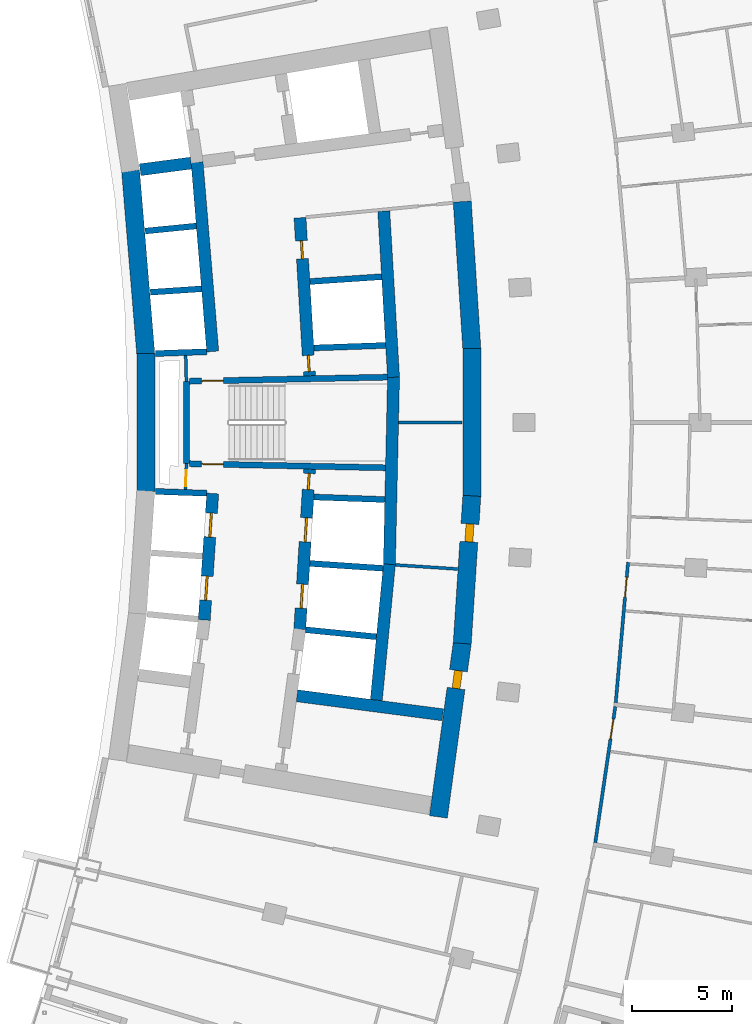
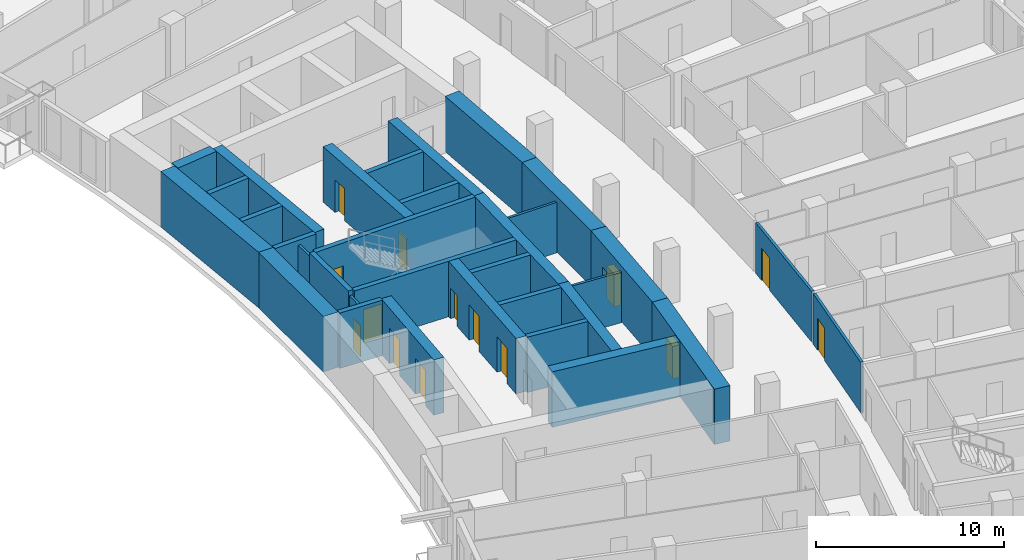
# One storey, part 14 of 23: 33 walls, 14 doors, 14 openings.
"""IFC4 building model written with IfcOpenShell, lengths in metres."""

from ifc_helpers import new_model, si_unit, direction, frame, frame_2d, origin, place, context, subcontext, project, spatial, rectangle, extrude, material, layer, layer_set, type_object, element, fill, save


model = new_model("IFC4")

# Units and contexts
model_context = context("Model", 3, precision=1e-05, world=origin(), true_north=direction((0.0, 1.0)))
body_context = subcontext(model_context, "Body", "Model", "MODEL_VIEW")
ifc_project = project(units=[si_unit("LENGTHUNIT", "METRE"), si_unit("AREAUNIT", "SQUARE_METRE"), si_unit("VOLUMEUNIT", "CUBIC_METRE"), si_unit("PLANEANGLEUNIT", "RADIAN"), si_unit("MASSUNIT", "GRAM", prefix="KILO")], contexts=[model_context])

# Site, building, storey
site_placement = place(None, origin())
site = spatial("IfcSite", under=ifc_project, at=site_placement, CompositionType="ELEMENT")
building_placement = place(site_placement, origin())
building = spatial("IfcBuilding", under=site, at=building_placement, Name="Alderwake Tower", CompositionType="ELEMENT")
storey_placement = place(building_placement, frame((0.0, 0.0, 71.60009765625)))
storey = spatial("IfcBuildingStorey", under=building, at=storey_placement, Name="L17", CompositionType="ELEMENT", Elevation=71.60009765625)

# Wall, opening, door
ifc_material_1 = material(Name="Gypsum shaft wall system, rated")
ifc_layer_1 = layer(ifc_material_1, 0.14990234375)
ifc_layer_set_1 = layer_set([ifc_layer_1], Name="Core room partition 150")
wall_type_1 = type_object("IfcWallType", Name="Core room partition 150", PredefinedType="PARTITIONING", material=ifc_layer_set_1)
wall_1_placement = place(storey_placement, frame((18.918701171875, 58.94384765625, 0.0), z_axis=(0.0, 0.0, 1.0), x_axis=(-0.027348257573, -0.999625966453, 0.0)))
wall_1 = element("IfcWall", 1, at=wall_1_placement, inside=storey, type_object=wall_type_1, Name="CW/L17/PA+24_-37", PredefinedType="PARTITIONING", context=body_context, shape_type="SweptSolid", body=[
    extrude(rectangle(XDim=1.29443359375, YDim=0.14990234375, at=frame_2d((0.647216796875, 0.0))), origin(), (0.0, 0.0, 1.0), 3.27978515625),
])
opening_1_placement = place(wall_1_placement, frame((0.322998046875, 0.0, 0.0)))
opening_1 = element("IfcOpeningElement", 2, at=opening_1_placement, cuts=wall_1, Name="Opening C004", PredefinedType="OPENING", context=body_context, shape_type="SweptSolid", body=[
    extrude(rectangle(XDim=0.800048828125, YDim=2.0, at=frame_2d((0.39990234375, 1.0))), frame((0.0, 0.0849609375, 0.0), z_axis=(0.0, -1.0, 0.0), x_axis=(1.0, 0.0, 0.0)), (0.0, 0.0, 1.0), 0.169921875),
])
ifc_material_2 = material(Name="Painted steel leaf, rated", Category="steel")
door_type_1 = type_object("IfcDoorType", Name="Riser access door 800", OperationType="SINGLE_SWING_LEFT", PredefinedType="DOOR", material=ifc_material_2)
door_1_placement = place(opening_1_placement, origin())
door_1 = element("IfcDoor", 3, at=door_1_placement, inside=storey, type_object=door_type_1, Name="Riser access door", OperationType="SINGLE_SWING_RIGHT", OverallHeight=2.0, OverallWidth=0.800048828125, PredefinedType="DOOR", context=body_context, shape_type="SweptSolid", body=[
    extrude(rectangle(XDim=0.800048828125, YDim=2.0, at=frame_2d((0.39990234375, 1.0))), frame((0.0, 0.02490234375, 0.0), z_axis=(0.0, -1.0, 0.0), x_axis=(1.0, 0.0, 0.0)), (0.0, 0.0, 1.0), 0.050048828125),
])
fill(opening_1, door_1)

# Walls
wall_2_placement = place(storey_placement, frame((18.918701171875, 63.05517578125, 0.0), z_axis=(0.0, 0.0, 1.0), x_axis=(-0.027327648352, 0.999626530078, 0.0)))
element("IfcWall", 4, at=wall_2_placement, inside=storey, type_object=wall_type_1, Name="CW/L17/PA+24_+22", PredefinedType="PARTITIONING", context=body_context, shape_type="SweptSolid", body=[
    extrude(rectangle(XDim=1.29541015625, YDim=0.14990234375, at=frame_2d((0.647705078125, 0.0))), origin(), (0.0, 0.0, 1.0), 3.27978515625),
])
wall_3_placement = place(storey_placement, frame((29.368408203125, 53.8779296875, 0.0), z_axis=(0.0, 0.0, 1.0), x_axis=(0.997885422127, -0.064997571548, 0.0)))
element("IfcWall", 5, at=wall_3_placement, inside=storey, type_object=wall_type_1, Name="CW/L17/PR-68_+128", PredefinedType="PARTITIONING", context=body_context, shape_type="SweptSolid", body=[
    extrude(rectangle(XDim=3.110107421875, YDim=0.14990234375, at=frame_2d((1.55517578125, 0.0))), origin(), (0.0, 0.0, 1.0), 3.27978515625),
])
wall_4_placement = place(storey_placement, frame((29.526123046875, 61.0, 0.0), z_axis=(0.0, 0.0, 1.0), x_axis=(1.0, 0.0, 0.0)))
element("IfcWall", 6, at=wall_4_placement, inside=storey, type_object=wall_type_1, Name="CW/L17/PR+0_+128", PredefinedType="PARTITIONING", context=body_context, shape_type="SweptSolid", body=[
    extrude(rectangle(XDim=3.18408203125, YDim=0.14990234375, at=frame_2d((1.592041015625, 0.0))), origin(), (0.0, 0.0, 1.0), 3.27978515625),
])
ifc_material_3 = material(Name="Concrete C70/85", Category="concrete")
ifc_layer_2 = layer(ifc_material_3, 0.89990234375)
ifc_layer_set_2 = layer_set([ifc_layer_2], Name="Core wall outer 900 C70-85")
wall_type_2 = type_object("IfcWallType", Name="Core wall outer 900 C70-85", PredefinedType="SHEAR", material=ifc_layer_set_2)
wall_5_placement = place(storey_placement, frame((16.889404296875, 57.5546875, 0.0), z_axis=(0.0, 0.0, 1.0), x_axis=(0.0, 1.0, 0.0)))
element("IfcWall", 7, at=wall_5_placement, inside=storey, type_object=wall_type_2, Name="Core wall CW.043", PredefinedType="SHEAR", context=body_context, shape_type="SweptSolid", body=[
    extrude(rectangle(XDim=6.89404296875, YDim=0.89990234375, at=frame_2d((3.447021484375, 0.0))), origin(), (0.0, 0.0, 1.0), 3.599853515625),
])
wall_6_placement = place(storey_placement, frame((16.890869140625, 64.41064453125, 0.0), z_axis=(0.0, 0.0, 1.0), x_axis=(-0.082624275373, 0.996580768989, 0.0)))
element("IfcWall", 8, at=wall_6_placement, inside=storey, type_object=wall_type_2, Name="Core wall CW.040", PredefinedType="SHEAR", context=body_context, shape_type="SweptSolid", body=[
    extrude(rectangle(XDim=9.210205078125, YDim=0.89990234375, at=frame_2d((4.60498046875, 0.0))), origin(), (0.0, 0.0, 1.0), 3.599853515625),
])

# Wall, opening, door
wall_7_placement = place(storey_placement, frame((32.7138671875, 49.9873046875, 0.0), z_axis=(0.0, 0.0, 1.0), x_axis=(-0.135844728876, -0.990730139663, 0.0)))
wall_7 = element("IfcWall", 9, at=wall_7_placement, inside=storey, type_object=wall_type_2, Name="Core wall CW.012", PredefinedType="SHEAR", context=body_context, shape_type="SweptSolid", body=[
    extrude(rectangle(XDim=8.78662109375, YDim=0.89990234375, at=frame_2d((4.393310546875, 0.0))), origin(), (0.0, 0.0, 1.0), 3.599853515625),
])
opening_2_placement = place(wall_7_placement, frame((1.40673828125, 0.0, 0.0)))
opening_2 = element("IfcOpeningElement", 10, at=opening_2_placement, cuts=wall_7, Name="Opening C049", PredefinedType="OPENING", context=body_context, shape_type="SweptSolid", body=[
    extrude(rectangle(XDim=0.89990234375, YDim=2.10009765625, at=frame_2d((0.449951171875, 1.050048828125))), frame((0.0, 0.4599609375, 0.0), z_axis=(0.0, -1.0, 0.0), x_axis=(1.0, 0.0, 0.0)), (0.0, 0.0, 1.0), 0.919921875),
])
ifc_material_4 = material(Name="Painted steel leaf", Category="steel")
door_type_2 = type_object("IfcDoorType", Name="Core room door 900", OperationType="SINGLE_SWING_LEFT", PredefinedType="DOOR", material=ifc_material_4)
door_2_placement = place(opening_2_placement, origin())
door_2 = element("IfcDoor", 11, at=door_2_placement, inside=storey, type_object=door_type_2, Name="Room door", OperationType="SINGLE_SWING_LEFT", OverallHeight=2.10009765625, OverallWidth=0.89990234375, PredefinedType="DOOR", context=body_context, shape_type="SweptSolid", body=[
    extrude(rectangle(XDim=0.89990234375, YDim=2.10009765625, at=frame_2d((0.449951171875, 1.050048828125))), frame((0.0, 0.199951171875, 0.0), z_axis=(0.0, -1.0, 0.0), x_axis=(1.0, 0.0, 0.0)), (0.0, 0.0, 1.0), 0.39990234375),
])
fill(opening_2, door_2)

wall_8_placement = place(storey_placement, frame((33.191162109375, 57.33349609375, 0.0), z_axis=(0.0, 0.0, 1.0), x_axis=(-0.064976219143, -0.997886812693, 0.0)))
wall_8 = element("IfcWall", 12, at=wall_8_placement, inside=storey, type_object=wall_type_2, Name="Core wall CW.011", PredefinedType="SHEAR", context=body_context, shape_type="SweptSolid", body=[
    extrude(rectangle(XDim=7.39453125, YDim=0.89990234375, at=frame_2d((3.697265625, 0.0))), origin(), (0.0, 0.0, 1.0), 3.599853515625),
])
opening_3_placement = place(wall_8_placement, frame((1.405517578125, 0.0, 0.0)))
opening_3 = element("IfcOpeningElement", 13, at=opening_3_placement, cuts=wall_8, Name="Opening C028", PredefinedType="OPENING", context=body_context, shape_type="SweptSolid", body=[
    extrude(rectangle(XDim=0.89990234375, YDim=2.10009765625, at=frame_2d((0.449951171875, 1.050048828125))), frame((0.0, 0.4599609375, 0.0), z_axis=(0.0, -1.0, 0.0), x_axis=(1.0, 0.0, 0.0)), (0.0, 0.0, 1.0), 0.919921875),
])
door_3_placement = place(opening_3_placement, origin())
door_3 = element("IfcDoor", 14, at=door_3_placement, inside=storey, type_object=door_type_2, Name="Room door", OperationType="SINGLE_SWING_LEFT", OverallHeight=2.10009765625, OverallWidth=0.89990234375, PredefinedType="DOOR", context=body_context, shape_type="SweptSolid", body=[
    extrude(rectangle(XDim=0.89990234375, YDim=2.10009765625, at=frame_2d((0.449951171875, 1.050048828125))), frame((0.0, 0.199951171875, 0.0), z_axis=(0.0, -1.0, 0.0), x_axis=(1.0, 0.0, 0.0)), (0.0, 0.0, 1.0), 0.39990234375),
])
fill(opening_3, door_3)

# Walls
wall_9_placement = place(storey_placement, frame((33.190185546875, 57.30322265625, 0.0), z_axis=(0.0, 0.0, 1.0), x_axis=(0.0, 1.0, 0.0)))
element("IfcWall", 15, at=wall_9_placement, inside=storey, type_object=wall_type_2, Name="Core wall CW.013", PredefinedType="SHEAR", context=body_context, shape_type="SweptSolid", body=[
    extrude(rectangle(XDim=7.3935546875, YDim=0.89990234375, at=frame_2d((3.69677734375, 0.0))), origin(), (0.0, 0.0, 1.0), 3.599853515625),
])
wall_10_placement = place(storey_placement, frame((33.191162109375, 64.66650390625, 0.0), z_axis=(0.0, 0.0, 1.0), x_axis=(-0.064976219143, 0.997886812693, 0.0)))
element("IfcWall", 16, at=wall_10_placement, inside=storey, type_object=wall_type_2, Name="Core wall CW.010", PredefinedType="SHEAR", context=body_context, shape_type="SweptSolid", body=[
    extrude(rectangle(XDim=7.39453125, YDim=0.89990234375, at=frame_2d((3.697265625, 0.0))), origin(), (0.0, 0.0, 1.0), 3.599853515625),
])
ifc_material_5 = material(Name="Concrete C70/85", Category="concrete")
ifc_layer_3 = layer(ifc_material_5, 0.300048828125)
ifc_layer_set_3 = layer_set([ifc_layer_3], Name="Core wall shaft 300 C70-85")
wall_type_3 = type_object("IfcWallType", Name="Core wall shaft 300 C70-85", PredefinedType="SHEAR", material=ifc_layer_set_3)
wall_11_placement = place(storey_placement, frame((24.889404296875, 50.635009765625, 0.0), z_axis=(0.0, 0.0, 1.0), x_axis=(0.995157756799, -0.098290584916, 0.0)))
element("IfcWall", 17, at=wall_11_placement, inside=storey, type_object=wall_type_3, Name="Core wall CW.066", PredefinedType="SHEAR", context=body_context, shape_type="SweptSolid", body=[
    extrude(rectangle(XDim=3.546875, YDim=0.300048828125, at=frame_2d((1.7734375, 0.0))), origin(), (0.0, 0.0, 1.0), 3.599853515625),
])
wall_12_placement = place(storey_placement, frame((25.090087890625, 53.954833984375, 0.0), z_axis=(0.0, 0.0, 1.0), x_axis=(0.997759755038, -0.066898962827, 0.0)))
element("IfcWall", 18, at=wall_12_placement, inside=storey, type_object=wall_type_3, Name="Core wall CW.080", PredefinedType="SHEAR", context=body_context, shape_type="SweptSolid", body=[
    extrude(rectangle(XDim=3.667724609375, YDim=0.300048828125, at=frame_2d((1.833984375, 0.0))), origin(), (0.0, 0.0, 1.0), 3.599853515625),
])
wall_13_placement = place(storey_placement, frame((17.369140625, 57.553466796875, 0.0), z_axis=(0.0, 0.0, 1.0), x_axis=(0.99937189907, -0.035437372217, 0.0)))
element("IfcWall", 19, at=wall_13_placement, inside=storey, type_object=wall_type_3, Name="Core wall CW.076", PredefinedType="SHEAR", context=body_context, shape_type="SweptSolid", body=[
    extrude(rectangle(XDim=2.56982421875, YDim=0.300048828125, at=frame_2d((1.284912109375, 0.0))), origin(), (0.0, 0.0, 1.0), 3.599853515625),
])
wall_14_placement = place(storey_placement, frame((25.29052734375, 57.27294921875, 0.0), z_axis=(0.0, 0.0, 1.0), x_axis=(0.999373490158, -0.035392473348, 0.0)))
element("IfcWall", 20, at=wall_14_placement, inside=storey, type_object=wall_type_3, Name="Core wall CW.077", PredefinedType="SHEAR", context=body_context, shape_type="SweptSolid", body=[
    extrude(rectangle(XDim=3.552490234375, YDim=0.300048828125, at=frame_2d((1.7763671875, 0.0))), origin(), (0.0, 0.0, 1.0), 3.599853515625),
])
wall_15_placement = place(storey_placement, frame((17.369384765625, 64.446533203125, 0.0), z_axis=(0.0, 0.0, 1.0), x_axis=(0.999371660382, 0.035444102817, 0.0)))
element("IfcWall", 21, at=wall_15_placement, inside=storey, type_object=wall_type_3, Name="Core wall CW.059", PredefinedType="SHEAR", context=body_context, shape_type="SweptSolid", body=[
    extrude(rectangle(XDim=2.5693359375, YDim=0.300048828125, at=frame_2d((1.28466796875, 0.0))), origin(), (0.0, 0.0, 1.0), 3.599853515625),
])
wall_16_placement = place(storey_placement, frame((25.291259765625, 64.72705078125, 0.0), z_axis=(0.0, 0.0, 1.0), x_axis=(0.999373454301, 0.035393485806, 0.0)))
element("IfcWall", 22, at=wall_16_placement, inside=storey, type_object=wall_type_3, Name="Core wall CW.060", PredefinedType="SHEAR", context=body_context, shape_type="SweptSolid", body=[
    extrude(rectangle(XDim=3.59375, YDim=0.300048828125, at=frame_2d((1.796875, 0.0))), origin(), (0.0, 0.0, 1.0), 3.599853515625),
])
wall_17_placement = place(storey_placement, frame((17.115478515625, 67.510498046875, 0.0), z_axis=(0.0, 0.0, 1.0), x_axis=(0.99775517309, 0.06696726493, 0.0)))
element("IfcWall", 23, at=wall_17_placement, inside=storey, type_object=wall_type_3, Name="Core wall CW.062", PredefinedType="SHEAR", context=body_context, shape_type="SweptSolid", body=[
    extrude(rectangle(XDim=2.566650390625, YDim=0.300048828125, at=frame_2d((1.283203125, 0.0))), origin(), (0.0, 0.0, 1.0), 3.599853515625),
])
wall_18_placement = place(storey_placement, frame((25.09228515625, 68.04541015625, 0.0), z_axis=(0.0, 0.0, 1.0), x_axis=(0.997761968855, 0.066865936816, 0.0)))
element("IfcWall", 24, at=wall_18_placement, inside=storey, type_object=wall_type_3, Name="Core wall CW.063", PredefinedType="SHEAR", context=body_context, shape_type="SweptSolid", body=[
    extrude(rectangle(XDim=3.596435546875, YDim=0.300048828125, at=frame_2d((1.79833984375, 0.0))), origin(), (0.0, 0.0, 1.0), 3.599853515625),
])
wall_19_placement = place(storey_placement, frame((16.86181640625, 70.571533203125, 0.0), z_axis=(0.0, 0.0, 1.0), x_axis=(0.995151424955, 0.098354671516, 0.0)))
element("IfcWall", 25, at=wall_19_placement, inside=storey, type_object=wall_type_3, Name="Core wall CW.050", PredefinedType="SHEAR", context=body_context, shape_type="SweptSolid", body=[
    extrude(rectangle(XDim=2.566650390625, YDim=0.300048828125, at=frame_2d((1.283203125, 0.0))), origin(), (0.0, 0.0, 1.0), 3.599853515625),
])

# Wall, openings, doors
ifc_material_6 = material(Name="Concrete C70/85", Category="concrete")
ifc_layer_4 = layer(ifc_material_6, 0.60009765625)
ifc_layer_set_4 = layer_set([ifc_layer_4], Name="Core wall spine 600 C70-85")
wall_type_4 = type_object("IfcWallType", Name="Core wall spine 600 C70-85", PredefinedType="SHEAR", material=ifc_layer_set_4)
wall_20_placement = place(storey_placement, frame((19.813232421875, 51.12646484375, 0.0), z_axis=(0.0, 0.0, 1.0), x_axis=(0.066892179723, 0.997760209816, 0.0)))
wall_20 = element("IfcWall", 26, at=wall_20_placement, inside=storey, type_object=wall_type_4, Name="Core wall CW.032", PredefinedType="SHEAR", context=body_context, shape_type="SweptSolid", body=[
    extrude(rectangle(XDim=6.339599609375, YDim=0.60009765625, at=frame_2d((3.169921875, 0.0))), origin(), (0.0, 0.0, 1.0), 3.599853515625),
])
opening_4_placement = place(wall_20_placement, frame((0.992431640625, 0.0, 0.0)))
opening_4 = element("IfcOpeningElement", 27, at=opening_4_placement, cuts=wall_20, Name="Opening LD-LP2", PredefinedType="OPENING", context=body_context, shape_type="SweptSolid", body=[
    extrude(rectangle(XDim=1.199951171875, YDim=2.300048828125, at=frame_2d((0.60009765625, 1.14990234375))), frame((0.0, 0.31005859375, 0.0), z_axis=(0.0, -1.0, 0.0), x_axis=(1.0, 0.0, 0.0)), (0.0, 0.0, 1.0), 0.6201171875),
])
opening_5_placement = place(wall_20_placement, frame((4.157470703125, 0.0, 0.0)))
opening_5 = element("IfcOpeningElement", 28, at=opening_5_placement, cuts=wall_20, Name="Opening LD-LP3", PredefinedType="OPENING", context=body_context, shape_type="SweptSolid", body=[
    extrude(rectangle(XDim=1.199951171875, YDim=2.300048828125, at=frame_2d((0.60009765625, 1.14990234375))), frame((0.0, 0.31005859375, 0.0), z_axis=(0.0, -1.0, 0.0), x_axis=(1.0, 0.0, 0.0)), (0.0, 0.0, 1.0), 0.6201171875),
])
ifc_material_7 = material(Name="Stainless steel sliding leaf", Category="steel")
door_type_3 = type_object("IfcDoorType", Name="Lift landing door 1200", OperationType="SLIDING_TO_LEFT", PredefinedType="DOOR", material=ifc_material_7)
door_4_placement = place(opening_4_placement, origin())
door_4 = element("IfcDoor", 29, at=door_4_placement, inside=storey, type_object=door_type_3, Name="Lift landing door LP2", OperationType="SLIDING_TO_LEFT", OverallHeight=2.300048828125, OverallWidth=1.199951171875, PredefinedType="DOOR", context=body_context, shape_type="SweptSolid", body=[
    extrude(rectangle(XDim=1.199951171875, YDim=2.300048828125, at=frame_2d((0.60009765625, 1.14990234375))), frame((0.0, 0.050048828125, 0.0), z_axis=(0.0, -1.0, 0.0), x_axis=(1.0, 0.0, 0.0)), (0.0, 0.0, 1.0), 0.10009765625),
])
fill(opening_4, door_4)
door_5_placement = place(opening_5_placement, origin())
door_5 = element("IfcDoor", 30, at=door_5_placement, inside=storey, type_object=door_type_3, Name="Lift landing door LP3", OperationType="SLIDING_TO_LEFT", OverallHeight=2.300048828125, OverallWidth=1.199951171875, PredefinedType="DOOR", context=body_context, shape_type="SweptSolid", body=[
    extrude(rectangle(XDim=1.199951171875, YDim=2.300048828125, at=frame_2d((0.60009765625, 1.14990234375))), frame((0.0, 0.050048828125, 0.0), z_axis=(0.0, -1.0, 0.0), x_axis=(1.0, 0.0, 0.0)), (0.0, 0.0, 1.0), 0.10009765625),
])
fill(opening_5, door_5)

# Wall
wall_21_placement = place(storey_placement, frame((20.2373046875, 64.548095703125, 0.0), z_axis=(0.0, 0.0, 1.0), x_axis=(-0.082626598613, 0.996580576372, 0.0)))
element("IfcWall", 31, at=wall_21_placement, inside=storey, type_object=wall_type_4, Name="Core wall CW.031", PredefinedType="SHEAR", context=body_context, shape_type="SweptSolid", body=[
    extrude(rectangle(XDim=9.50244140625, YDim=0.60009765625, at=frame_2d((4.751220703125, 0.0))), origin(), (0.0, 0.0, 1.0), 3.599853515625),
])

# Wall, openings, doors
wall_22_placement = place(storey_placement, frame((24.58984375, 50.6533203125, 0.0), z_axis=(0.0, 0.0, 1.0), x_axis=(0.060323309079, 0.998178890972, 0.0)))
wall_22 = element("IfcWall", 32, at=wall_22_placement, inside=storey, type_object=wall_type_4, Name="Core wall CW.046", PredefinedType="SHEAR", context=body_context, shape_type="SweptSolid", body=[
    extrude(rectangle(XDim=8.025634765625, YDim=0.60009765625, at=frame_2d((4.0126953125, 0.0))), origin(), (0.0, 0.0, 1.0), 3.599853515625),
])
opening_6_placement = place(wall_22_placement, frame((1.06884765625, 0.0, 0.0)))
opening_6 = element("IfcOpeningElement", 33, at=opening_6_placement, cuts=wall_22, Name="Opening LD-LP5", PredefinedType="OPENING", context=body_context, shape_type="SweptSolid", body=[
    extrude(rectangle(XDim=1.199951171875, YDim=2.300048828125, at=frame_2d((0.60009765625, 1.14990234375))), frame((0.0, 0.31005859375, 0.0), z_axis=(0.0, -1.0, 0.0), x_axis=(1.0, 0.0, 0.0)), (0.0, 0.0, 1.0), 0.6201171875),
])
opening_7_placement = place(wall_22_placement, frame((4.38525390625, 0.0, 0.0)))
opening_7 = element("IfcOpeningElement", 34, at=opening_7_placement, cuts=wall_22, Name="Opening LD-LP6", PredefinedType="OPENING", context=body_context, shape_type="SweptSolid", body=[
    extrude(rectangle(XDim=1.199951171875, YDim=2.300048828125, at=frame_2d((0.60009765625, 1.14990234375))), frame((0.0, 0.31005859375, 0.0), z_axis=(0.0, -1.0, 0.0), x_axis=(1.0, 0.0, 0.0)), (0.0, 0.0, 1.0), 0.6201171875),
])
opening_8_placement = place(wall_22_placement, frame((7.009521484375, 0.0, 0.0)))
opening_8 = element("IfcOpeningElement", 35, at=opening_8_placement, cuts=wall_22, Name="Opening C006", PredefinedType="OPENING", context=body_context, shape_type="SweptSolid", body=[
    extrude(rectangle(XDim=0.800048828125, YDim=2.0, at=frame_2d((0.39990234375, 1.0))), frame((0.0, 0.31005859375, 0.0), z_axis=(0.0, -1.0, 0.0), x_axis=(1.0, 0.0, 0.0)), (0.0, 0.0, 1.0), 0.6201171875),
])
door_6_placement = place(opening_6_placement, origin())
door_6 = element("IfcDoor", 36, at=door_6_placement, inside=storey, type_object=door_type_3, Name="Lift landing door LP5", OperationType="SLIDING_TO_LEFT", OverallHeight=2.300048828125, OverallWidth=1.199951171875, PredefinedType="DOOR", context=body_context, shape_type="SweptSolid", body=[
    extrude(rectangle(XDim=1.199951171875, YDim=2.300048828125, at=frame_2d((0.60009765625, 1.14990234375))), frame((0.0, 0.050048828125, 0.0), z_axis=(0.0, -1.0, 0.0), x_axis=(1.0, 0.0, 0.0)), (0.0, 0.0, 1.0), 0.10009765625),
])
fill(opening_6, door_6)
door_7_placement = place(opening_7_placement, origin())
door_7 = element("IfcDoor", 37, at=door_7_placement, inside=storey, type_object=door_type_3, Name="Lift landing door LP6", OperationType="SLIDING_TO_LEFT", OverallHeight=2.300048828125, OverallWidth=1.199951171875, PredefinedType="DOOR", context=body_context, shape_type="SweptSolid", body=[
    extrude(rectangle(XDim=1.199951171875, YDim=2.300048828125, at=frame_2d((0.60009765625, 1.14990234375))), frame((0.0, 0.050048828125, 0.0), z_axis=(0.0, -1.0, 0.0), x_axis=(1.0, 0.0, 0.0)), (0.0, 0.0, 1.0), 0.10009765625),
])
fill(opening_7, door_7)
door_8_placement = place(opening_8_placement, origin())
door_8 = element("IfcDoor", 38, at=door_8_placement, inside=storey, type_object=door_type_1, Name="Riser access door", OperationType="SINGLE_SWING_RIGHT", OverallHeight=2.0, OverallWidth=0.800048828125, PredefinedType="DOOR", context=body_context, shape_type="SweptSolid", body=[
    extrude(rectangle(XDim=0.800048828125, YDim=2.0, at=frame_2d((0.39990234375, 1.0))), frame((0.0, 0.050048828125, 0.0), z_axis=(0.0, -1.0, 0.0), x_axis=(1.0, 0.0, 0.0)), (0.0, 0.0, 1.0), 0.10009765625),
])
fill(opening_8, door_8)

wall_23_placement = place(storey_placement, frame((25.073974609375, 63.335693359375, 0.0), z_axis=(0.0, 0.0, 1.0), x_axis=(-0.059848641072, 0.998207463487, 0.0)))
wall_23 = element("IfcWall", 39, at=wall_23_placement, inside=storey, type_object=wall_type_4, Name="Core wall CW.045", PredefinedType="SHEAR", context=body_context, shape_type="SweptSolid", body=[
    extrude(rectangle(XDim=7.913818359375, YDim=0.60009765625, at=frame_2d((3.95703125, 0.0))), origin(), (0.0, 0.0, 1.0), 3.599853515625),
])
opening_9_placement = place(wall_23_placement, frame((0.216064453125, 0.0, 0.0)))
opening_9 = element("IfcOpeningElement", 40, at=opening_9_placement, cuts=wall_23, Name="Opening C005", PredefinedType="OPENING", context=body_context, shape_type="SweptSolid", body=[
    extrude(rectangle(XDim=0.800048828125, YDim=2.0, at=frame_2d((0.39990234375, 1.0))), frame((0.0, 0.31005859375, 0.0), z_axis=(0.0, -1.0, 0.0), x_axis=(1.0, 0.0, 0.0)), (0.0, 0.0, 1.0), 0.6201171875),
])
opening_10_placement = place(wall_23_placement, frame((5.856201171875, 0.0, 0.0)))
opening_10 = element("IfcOpeningElement", 41, at=opening_10_placement, cuts=wall_23, Name="Opening C023", PredefinedType="OPENING", context=body_context, shape_type="SweptSolid", body=[
    extrude(rectangle(XDim=0.89990234375, YDim=2.10009765625, at=frame_2d((0.449951171875, 1.050048828125))), frame((0.0, 0.31005859375, 0.0), z_axis=(0.0, -1.0, 0.0), x_axis=(1.0, 0.0, 0.0)), (0.0, 0.0, 1.0), 0.6201171875),
])
door_9_placement = place(opening_10_placement, origin())
door_9 = element("IfcDoor", 42, at=door_9_placement, inside=storey, type_object=door_type_2, Name="Room door", OperationType="SINGLE_SWING_RIGHT", OverallHeight=2.10009765625, OverallWidth=0.89990234375, PredefinedType="DOOR", context=body_context, shape_type="SweptSolid", body=[
    extrude(rectangle(XDim=0.89990234375, YDim=2.10009765625, at=frame_2d((0.449951171875, 1.050048828125))), frame((0.0, 0.050048828125, 0.0), z_axis=(0.0, -1.0, 0.0), x_axis=(1.0, 0.0, 0.0)), (0.0, 0.0, 1.0), 0.10009765625),
])
fill(opening_10, door_9)
door_10_placement = place(opening_9_placement, origin())
door_10 = element("IfcDoor", 43, at=door_10_placement, inside=storey, type_object=door_type_1, Name="Riser access door", OperationType="SINGLE_SWING_LEFT", OverallHeight=2.0, OverallWidth=0.800048828125, PredefinedType="DOOR", context=body_context, shape_type="SweptSolid", body=[
    extrude(rectangle(XDim=0.800048828125, YDim=2.0, at=frame_2d((0.39990234375, 1.0))), frame((0.0, 0.050048828125, 0.0), z_axis=(0.0, -1.0, 0.0), x_axis=(1.0, 0.0, 0.0)), (0.0, 0.0, 1.0), 0.10009765625),
])
fill(opening_9, door_10)

# Walls
wall_24_placement = place(storey_placement, frame((28.415283203125, 47.12255859375, 0.0), z_axis=(0.0, 0.0, 1.0), x_axis=(0.096035810952, 0.995377879508, 0.0)))
element("IfcWall", 44, at=wall_24_placement, inside=storey, type_object=wall_type_4, Name="Core wall CW.005", PredefinedType="SHEAR", context=body_context, shape_type="SweptSolid", body=[
    extrude(rectangle(XDim=6.818115234375, YDim=0.60009765625, at=frame_2d((3.4091796875, 0.0))), origin(), (0.0, 0.0, 1.0), 3.599853515625),
])
wall_25_placement = place(storey_placement, frame((29.068603515625, 53.885986328125, 0.0), z_axis=(0.0, 0.0, 1.0), x_axis=(0.022123304576, 0.999755249746, 0.0)))
element("IfcWall", 45, at=wall_25_placement, inside=storey, type_object=wall_type_4, Name="Core wall CW.008", PredefinedType="SHEAR", context=body_context, shape_type="SweptSolid", body=[
    extrude(rectangle(XDim=9.402099609375, YDim=0.60009765625, at=frame_2d((4.701171875, 0.0))), origin(), (0.0, 0.0, 1.0), 3.599853515625),
])
wall_26_placement = place(storey_placement, frame((29.277099609375, 63.260498046875, 0.0), z_axis=(0.0, 0.0, 1.0), x_axis=(-0.058809712878, 0.99826921102, 0.0)))
element("IfcWall", 46, at=wall_26_placement, inside=storey, type_object=wall_type_4, Name="Core wall CW.002", PredefinedType="SHEAR", context=body_context, shape_type="SweptSolid", body=[
    extrude(rectangle(XDim=8.323486328125, YDim=0.60009765625, at=frame_2d((4.16162109375, 0.0))), origin(), (0.0, 0.0, 1.0), 3.599853515625),
])
wall_27_placement = place(storey_placement, frame((24.4501953125, 47.338623046875, 0.0), z_axis=(0.0, 0.0, 1.0), x_axis=(0.991554769286, -0.129688625198, 0.0)))
element("IfcWall", 47, at=wall_27_placement, inside=storey, type_object=wall_type_4, Name="Core wall CW.069", PredefinedType="SHEAR", context=body_context, shape_type="SweptSolid", body=[
    extrude(rectangle(XDim=7.347412109375, YDim=0.60009765625, at=frame_2d((3.673828125, 0.0))), origin(), (0.0, 0.0, 1.0), 3.599853515625),
])
wall_28_placement = place(storey_placement, frame((16.607666015625, 73.635498046875, 0.0), z_axis=(0.0, 0.0, 1.0), x_axis=(0.991551057449, 0.129717001478, 0.0)))
element("IfcWall", 48, at=wall_28_placement, inside=storey, type_object=wall_type_4, Name="Core wall CW.051", PredefinedType="SHEAR", context=body_context, shape_type="SweptSolid", body=[
    extrude(rectangle(XDim=2.569091796875, YDim=0.60009765625, at=frame_2d((1.28466796875, 0.0))), origin(), (0.0, 0.0, 1.0), 3.599853515625),
])
ifc_material_8 = material(Name="Concrete C70/85", Category="concrete")
ifc_layer_5 = layer(ifc_material_8, 0.300048828125)
ifc_layer_set_5 = layer_set([ifc_layer_5], Name="Core wall stair enclosure 300 C70-85")
wall_type_5 = type_object("IfcWallType", Name="Core wall stair enclosure 300 C70-85", PredefinedType="SHEAR", material=ifc_layer_set_5)
wall_29_placement = place(storey_placement, frame((18.918701171875, 58.94091796875, 0.0), z_axis=(0.0, 0.0, 1.0), x_axis=(0.0, 1.0, 0.0)))
element("IfcWall", 49, at=wall_29_placement, inside=storey, type_object=wall_type_5, Name="Core wall CW.024", PredefinedType="SHEAR", context=body_context, shape_type="SweptSolid", body=[
    extrude(rectangle(XDim=4.119384765625, YDim=0.300048828125, at=frame_2d((2.0595703125, 0.0))), origin(), (0.0, 0.0, 1.0), 3.599853515625),
])

# Wall, opening, door
wall_30_placement = place(storey_placement, frame((28.8759765625, 58.735107421875, 0.0), z_axis=(0.0, 0.0, 1.0), x_axis=(-0.999783520771, 0.020806527678, 0.0)))
wall_30 = element("IfcWall", 50, at=wall_30_placement, inside=storey, type_object=wall_type_5, Name="Core wall CW.074", PredefinedType="SHEAR", context=body_context, shape_type="SweptSolid", body=[
    extrude(rectangle(XDim=9.8095703125, YDim=0.300048828125, at=frame_2d((4.90478515625, 0.0))), origin(), (0.0, 0.0, 1.0), 3.599853515625),
])
opening_11_placement = place(wall_30_placement, frame((8.109375, 0.0, 0.0)))
opening_11 = element("IfcOpeningElement", 51, at=opening_11_placement, cuts=wall_30, Name="Opening C063", PredefinedType="OPENING", context=body_context, shape_type="SweptSolid", body=[
    extrude(rectangle(XDim=1.10009765625, YDim=2.10009765625, at=frame_2d((0.550048828125, 1.050048828125))), frame((0.0, 0.159912109375, 0.0), z_axis=(0.0, -1.0, 0.0), x_axis=(1.0, 0.0, 0.0)), (0.0, 0.0, 1.0), 0.320068359375),
])
ifc_material_9 = material(Name="Steel-framed fire door leaf", Category="steel")
door_type_4 = type_object("IfcDoorType", Name="Core stair door 1100 fire-rated", OperationType="SINGLE_SWING_LEFT", PredefinedType="DOOR", material=ifc_material_9)
door_11_placement = place(opening_11_placement, origin())
door_11 = element("IfcDoor", 52, at=door_11_placement, inside=storey, type_object=door_type_4, Name="Stair door", OperationType="SINGLE_SWING_LEFT", OverallHeight=2.10009765625, OverallWidth=1.10009765625, PredefinedType="DOOR", context=body_context, shape_type="SweptSolid", body=[
    extrude(rectangle(XDim=1.10009765625, YDim=2.10009765625, at=frame_2d((0.550048828125, 1.050048828125))), frame((0.0, 0.02490234375, 0.0), z_axis=(0.0, -1.0, 0.0), x_axis=(1.0, 0.0, 0.0)), (0.0, 0.0, 1.0), 0.050048828125),
])
fill(opening_11, door_11)

wall_31_placement = place(storey_placement, frame((19.068603515625, 63.060791015625, 0.0), z_axis=(0.0, 0.0, 1.0), x_axis=(0.999783793601, 0.020793413711, 0.0)))
wall_31 = element("IfcWall", 53, at=wall_31_placement, inside=storey, type_object=wall_type_5, Name="Core wall CW.057", PredefinedType="SHEAR", context=body_context, shape_type="SweptSolid", body=[
    extrude(rectangle(XDim=9.90966796875, YDim=0.300048828125, at=frame_2d((4.954833984375, 0.0))), origin(), (0.0, 0.0, 1.0), 3.599853515625),
])
opening_12_placement = place(wall_31_placement, frame((0.60009765625, 0.0, 0.0)))
opening_12 = element("IfcOpeningElement", 54, at=opening_12_placement, cuts=wall_31, Name="Opening C064", PredefinedType="OPENING", context=body_context, shape_type="SweptSolid", body=[
    extrude(rectangle(XDim=1.10009765625, YDim=2.10009765625, at=frame_2d((0.550048828125, 1.050048828125))), frame((0.0, 0.159912109375, 0.0), z_axis=(0.0, -1.0, 0.0), x_axis=(1.0, 0.0, 0.0)), (0.0, 0.0, 1.0), 0.320068359375),
])
door_12_placement = place(opening_12_placement, origin())
door_12 = element("IfcDoor", 55, at=door_12_placement, inside=storey, type_object=door_type_4, Name="Stair door", OperationType="SINGLE_SWING_RIGHT", OverallHeight=2.10009765625, OverallWidth=1.10009765625, PredefinedType="DOOR", context=body_context, shape_type="SweptSolid", body=[
    extrude(rectangle(XDim=1.10009765625, YDim=2.10009765625, at=frame_2d((0.550048828125, 1.050048828125))), frame((0.0, 0.02490234375, 0.0), z_axis=(0.0, -1.0, 0.0), x_axis=(1.0, 0.0, 0.0)), (0.0, 0.0, 1.0), 0.050048828125),
])
fill(opening_12, door_12)

ifc_material_10 = material(Name="Gypsum board on metal studs, rated")
ifc_layer_6 = layer(ifc_material_10, 0.159912109375)
ifc_layer_set_6 = layer_set([ifc_layer_6], Name="Corridor wall 160")
wall_type_6 = type_object("IfcWallType", Name="Corridor wall 160", PredefinedType="PARTITIONING", material=ifc_layer_set_6)
wall_32_placement = place(storey_placement, frame((40.3623046875, 46.7939453125, 0.0), z_axis=(0.0, 0.0, 1.0), x_axis=(-0.1455042199, -0.989357630987, 0.0)))
wall_32 = element("IfcWall", 56, at=wall_32_placement, inside=storey, type_object=wall_type_6, Name="WL/L17/W36", PredefinedType="PARTITIONING", context=body_context, shape_type="SweptSolid", body=[
    extrude(rectangle(XDim=6.87109375, YDim=0.159912109375, at=frame_2d((3.435546875, 0.0))), origin(), (0.0, 0.0, 1.0), 3.27978515625),
])
opening_13_placement = place(wall_32_placement, frame((0.628662109375, 0.0, 0.0)))
opening_13 = element("IfcOpeningElement", 57, at=opening_13_placement, cuts=wall_32, Name="Opening R04-U06.2", PredefinedType="OPENING", context=body_context, shape_type="SweptSolid", body=[
    extrude(rectangle(XDim=1.0, YDim=2.10009765625, at=frame_2d((0.5, 1.050048828125))), frame((0.0, 0.08984375, 0.0), z_axis=(0.0, -1.0, 0.0), x_axis=(1.0, 0.0, 0.0)), (0.0, 0.0, 1.0), 0.179931640625),
])
ifc_material_11 = material(Name="Solid timber leaf in steel frame", Category="steel")
door_type_5 = type_object("IfcDoorType", Name="Flat entrance door 1000 fire-rated", OperationType="SINGLE_SWING_LEFT", PredefinedType="DOOR", material=ifc_material_11)
door_13_placement = place(opening_13_placement, origin())
door_13 = element("IfcDoor", 58, at=door_13_placement, inside=storey, type_object=door_type_5, Name="DR/L17/U06.2", OperationType="SINGLE_SWING_LEFT", OverallHeight=2.10009765625, OverallWidth=1.0, PredefinedType="DOOR", context=body_context, shape_type="SweptSolid", body=[
    extrude(rectangle(XDim=1.0, YDim=2.10009765625, at=frame_2d((0.5, 1.050048828125))), frame((0.0, 0.02490234375, 0.0), z_axis=(0.0, -1.0, 0.0), x_axis=(1.0, 0.0, 0.0)), (0.0, 0.0, 1.0), 0.050048828125),
])
fill(opening_13, door_13)

wall_33_placement = place(storey_placement, frame((41.001953125, 54.013671875, 0.0), z_axis=(0.0, 0.0, 1.0), x_axis=(-0.087430787456, -0.996170596537, 0.0)))
wall_33 = element("IfcWall", 59, at=wall_33_placement, inside=storey, type_object=wall_type_6, Name="WL/L17/W38", PredefinedType="PARTITIONING", context=body_context, shape_type="SweptSolid", body=[
    extrude(rectangle(XDim=7.048095703125, YDim=0.159912109375, at=frame_2d((3.52392578125, 0.0))), origin(), (0.0, 0.0, 1.0), 3.27978515625),
])
opening_14_placement = place(wall_33_placement, frame((0.75830078125, 0.0, 0.0)))
opening_14 = element("IfcOpeningElement", 60, at=opening_14_placement, cuts=wall_33, Name="Opening R04-U07.2", PredefinedType="OPENING", context=body_context, shape_type="SweptSolid", body=[
    extrude(rectangle(XDim=1.0, YDim=2.10009765625, at=frame_2d((0.5, 1.050048828125))), frame((0.0, 0.08984375, 0.0), z_axis=(0.0, -1.0, 0.0), x_axis=(1.0, 0.0, 0.0)), (0.0, 0.0, 1.0), 0.179931640625),
])
door_14_placement = place(opening_14_placement, origin())
door_14 = element("IfcDoor", 61, at=door_14_placement, inside=storey, type_object=door_type_5, Name="DR/L17/U07.2", OperationType="SINGLE_SWING_LEFT", OverallHeight=2.10009765625, OverallWidth=1.0, PredefinedType="DOOR", context=body_context, shape_type="SweptSolid", body=[
    extrude(rectangle(XDim=1.0, YDim=2.10009765625, at=frame_2d((0.5, 1.050048828125))), frame((0.0, 0.02490234375, 0.0), z_axis=(0.0, -1.0, 0.0), x_axis=(1.0, 0.0, 0.0)), (0.0, 0.0, 1.0), 0.050048828125),
])
fill(opening_14, door_14)

save(model, "model.ifc")
